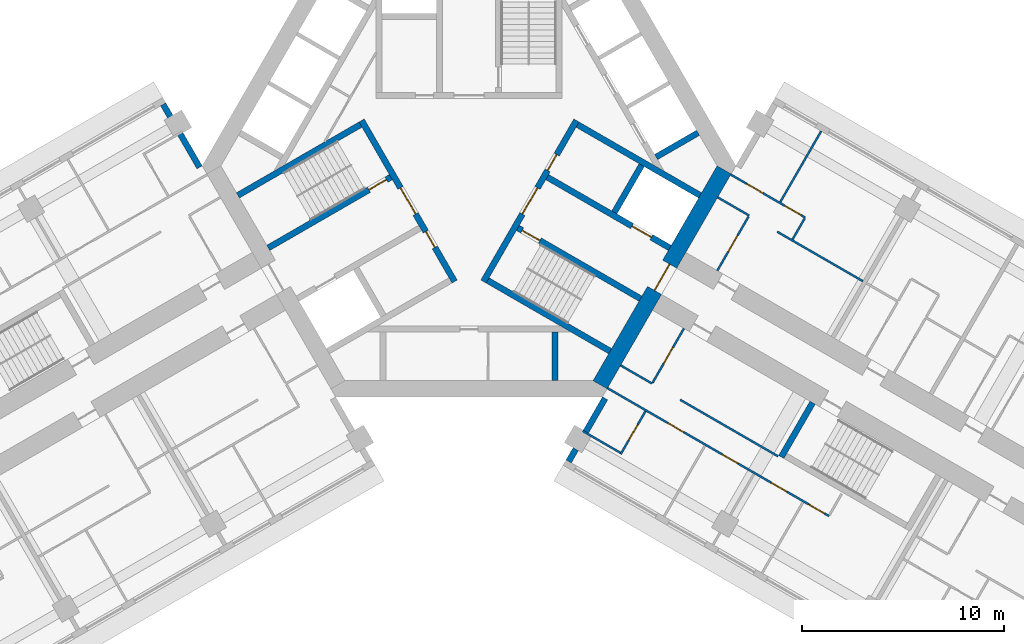
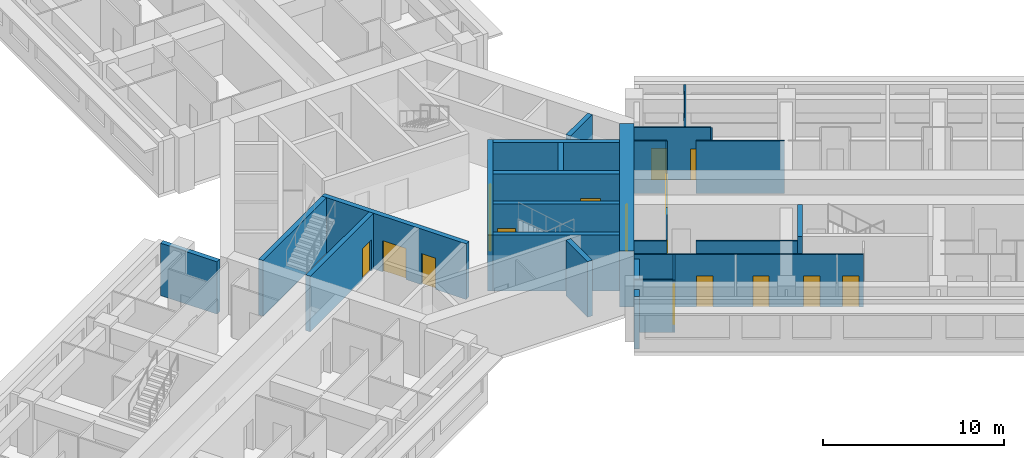
# One storey, part 7 of 14: 28 walls, 17 doors, 17 openings.
"""IFC4 building model written with IfcOpenShell, lengths in metres."""

import ifcopenshell
import ifcopenshell.guid

model = None  # the IFC model being written
_history = None  # IfcOwnerHistory: only IFC2X3 demands one
_inside = {}  # id of a spatial element -> (the spatial element, [elements in it])
_under = {}  # id of a project, library or spatial element -> (it, [spatial elements below it])
_declared = {}  # id of a project -> (the project, [libraries it declares])
_typed = {}  # id of a type object -> (the type object, [elements of that type])
_made_of = {}  # id of a material, layer set ... -> (it, [elements and type objects made of it])


def new_model(schema):
    """Start an empty IFC model of exactly this schema.

    Asked for "IFC4X3", IfcOpenShell would pick the latest addendum, in which some entities
    have other attributes; the version numbers below select the first issue.
    IFC2X3 requires an IfcOwnerHistory on every rooted entity: one is made here for all.
    """
    global model, _history
    if schema == "IFC4X3":
        model = ifcopenshell.file(schema_version=(4, 3, 0, 0))
    else:
        model = ifcopenshell.file(schema=schema)
    _inside.clear()
    _under.clear()
    _declared.clear()
    _typed.clear()
    _made_of.clear()
    _history = None
    if model.schema == "IFC2X3":
        org = make("IfcOrganization", Name="unknown")
        user = make(
            "IfcPersonAndOrganization",
            ThePerson=make("IfcPerson", FamilyName="unknown"),
            TheOrganization=org,
        )
        app = make(
            "IfcApplication",
            ApplicationDeveloper=org,
            Version="unknown",
            ApplicationFullName="unknown",
            ApplicationIdentifier="unknown",
        )
        _history = make(
            "IfcOwnerHistory",
            OwningUser=user,
            OwningApplication=app,
            ChangeAction="ADDED",
            CreationDate=0,
        )
    return model


def make(cls, **values):
    """One entity of the class cls with the attributes given. An attribute that is None is left unset."""
    return model.create_entity(
        cls, **{name: value for name, value in values.items() if value is not None}
    )


def rooted(cls, **values):
    """An entity with a GlobalId (a new one), such as an element, a storey or a relation."""
    return make(cls, GlobalId=ifcopenshell.guid.new(), OwnerHistory=_history, **values)


def si_unit(unit_type, name, prefix=None):
    """IfcSIUnit, for example si_unit("LENGTHUNIT", "METRE", prefix="MILLI")."""
    return make("IfcSIUnit", UnitType=unit_type, Prefix=prefix, Name=name)


def assignment(units):
    """IfcUnitAssignment: the units of a project."""
    return None if units is None else make("IfcUnitAssignment", Units=units)


def point(xyz):
    """IfcCartesianPoint."""
    return None if xyz is None else make("IfcCartesianPoint", Coordinates=xyz)


def direction(xyz):
    """IfcDirection."""
    return None if xyz is None else make("IfcDirection", DirectionRatios=xyz)


def frame(location, z_axis=None, x_axis=None):
    """IfcAxis2Placement3D, a coordinate frame: its origin and axes. An axis left out is left unset."""
    return make(
        "IfcAxis2Placement3D",
        Location=point(location),
        Axis=direction(z_axis),
        RefDirection=direction(x_axis),
    )


def frame_2d(location, x_axis=None):
    """IfcAxis2Placement2D, a coordinate frame in the plane: its origin and x axis."""
    return make(
        "IfcAxis2Placement2D", Location=point(location), RefDirection=direction(x_axis)
    )


def origin():
    """The frame at (0, 0, 0) with its axes left unset."""
    return frame((0.0, 0.0, 0.0))


def place(relative_to, where):
    """IfcLocalPlacement: puts the frame where relative to a parent placement (None: the world)."""
    return make(
        "IfcLocalPlacement", PlacementRelTo=relative_to, RelativePlacement=where
    )


def context(
    kind, dimensions, precision=None, world=None, true_north=None, identifier=None
):
    """IfcGeometricRepresentationContext, for example the 3D "Model" context."""
    return make(
        "IfcGeometricRepresentationContext",
        ContextIdentifier=identifier,
        ContextType=kind,
        CoordinateSpaceDimension=dimensions,
        Precision=precision,
        WorldCoordinateSystem=world,
        TrueNorth=true_north,
    )


def subcontext(parent, identifier, kind, view, scale=None):
    """IfcGeometricRepresentationSubContext, for example "Body" below "Model"."""
    return make(
        "IfcGeometricRepresentationSubContext",
        ContextIdentifier=identifier,
        ContextType=kind,
        ParentContext=parent,
        TargetScale=scale,
        TargetView=view,
    )


def project(units=None, contexts=None):
    """IfcProject with its units and contexts."""
    return rooted(
        "IfcProject",
        Name="project",
        RepresentationContexts=contexts,
        UnitsInContext=assignment(units),
    )


def spatial(cls, under=None, at=None, **own):
    """A site, building, storey or space (cls), placed at a placement, below another one or the project."""
    s = rooted(cls, ObjectPlacement=at, **own)
    if under is not None:
        _under.setdefault(under.id(), (under, []))[1].append(s)
    return s


def profile(cls, at=None, kind="AREA", **sizes):
    """A parametric profile (cls). Its sizes go by their IFC names, for example OverallWidth=200.0."""
    return make(cls, ProfileType=kind, Position=at, **sizes)


def rectangle(**sizes):
    """IfcRectangleProfileDef."""
    return profile("IfcRectangleProfileDef", **sizes)


def extrude(swept, where, along, depth):
    """IfcExtrudedAreaSolid: the profile swept, set in the frame where, extruded along a direction by depth."""
    return make(
        "IfcExtrudedAreaSolid",
        SweptArea=swept,
        Position=where,
        ExtrudedDirection=direction(along),
        Depth=depth,
    )


def shape(context_of_items, identifier, shape_type, items):
    """IfcShapeRepresentation: the items that make up one representation, for example the "Body"."""
    return make(
        "IfcShapeRepresentation",
        ContextOfItems=context_of_items,
        RepresentationIdentifier=identifier,
        RepresentationType=shape_type,
        Items=items,
    )


def material(Name=None, Category=None):
    """IfcMaterial."""
    return make("IfcMaterial", Name=Name, Category=Category)


def layer(
    of_material, thickness, ventilated=None, Name=None, Category=None, Priority=None
):
    """IfcMaterialLayer: one layer of a wall or slab, of a material (None: an air gap)."""
    return make(
        "IfcMaterialLayer",
        Material=of_material,
        LayerThickness=thickness,
        IsVentilated=ventilated,
        Name=Name,
        Category=Category,
        Priority=Priority,
    )


def layer_set(layers, Name=None):
    """IfcMaterialLayerSet."""
    return make("IfcMaterialLayerSet", MaterialLayers=layers, LayerSetName=Name)


def made_of(thing, what):
    """Note that an element or type object is made of a material, layer set ...; save() writes the relation."""
    if what is not None:
        _made_of.setdefault(what.id(), (what, []))[1].append(thing)
    return thing


def type_object(cls, material=None, **own):
    """A type object (cls), such as IfcWallType, which elements share."""
    return made_of(rooted(cls, **own), material)


def element(
    cls,
    number,
    at=None,
    inside=None,
    cuts=None,
    type_object=None,
    material=None,
    context=None,
    identifier="Body",
    shape_type=None,
    held_by="IfcProductDefinitionShape",
    body=None,
    shapes=None,
    **own,
):
    """One element of the class cls, such as IfcWall. Its Tag is "e" and its number.

    at: its placement. inside: the storey or other place that contains it. cuts: it is an
    opening in that element (IfcRelVoidsElement). A single representation is given by context,
    identifier, shape_type and body (its items); several are given by shapes. held_by: the class
    of the entity that holds the representations. save() writes the other relations.
    """
    e = rooted(cls, Tag="e%d" % number, ObjectPlacement=at, **own)
    if body is not None:
        shapes = [shape(context, identifier, shape_type, body)]
    if shapes is not None:
        e.Representation = make(held_by, Representations=shapes)
    if inside is not None:
        _inside.setdefault(inside.id(), (inside, []))[1].append(e)
    if cuts is not None:
        rooted(
            "IfcRelVoidsElement", RelatingBuildingElement=cuts, RelatedOpeningElement=e
        )
    if type_object is not None:
        _typed.setdefault(type_object.id(), (type_object, []))[1].append(e)
    return made_of(e, material)


def fill(opening, filler):
    """IfcRelFillsElement: the door or window that sits in an opening."""
    return rooted(
        "IfcRelFillsElement",
        RelatingOpeningElement=opening,
        RelatedBuildingElement=filler,
    )


def aggregate(whole, parts):
    """IfcRelAggregates: a whole, such as a stair, and the parts it consists of."""
    return rooted("IfcRelAggregates", RelatingObject=whole, RelatedObjects=parts)


def save(model, path):
    """Write the relations noted so far, then the file.

    IfcRelAggregates (storeys below a building ...), IfcRelContainedInSpatialStructure (elements
    in a storey), IfcRelDefinesByType, IfcRelAssociatesMaterial and IfcRelDeclares: one each for
    every whole, place, type object, material and project.
    """
    for whole, parts in _under.values():
        aggregate(whole, parts)
    for where, things in _inside.values():
        rooted(
            "IfcRelContainedInSpatialStructure",
            RelatedElements=things,
            RelatingStructure=where,
        )
    for kind, things in _typed.values():
        rooted("IfcRelDefinesByType", RelatedObjects=things, RelatingType=kind)
    for what, things in _made_of.values():
        rooted("IfcRelAssociatesMaterial", RelatedObjects=things, RelatingMaterial=what)
    for by, libraries in _declared.values():
        rooted("IfcRelDeclares", RelatingContext=by, RelatedDefinitions=libraries)
    model.write(path)


model = new_model("IFC4")

# Units and contexts
model_context = context("Model", 3, precision=1e-05, world=origin(), true_north=direction((0.0, 1.0)))
body_context = subcontext(model_context, "Body", "Model", "MODEL_VIEW")
ifc_project = project(units=[si_unit("LENGTHUNIT", "METRE"), si_unit("AREAUNIT", "SQUARE_METRE"), si_unit("VOLUMEUNIT", "CUBIC_METRE"), si_unit("PLANEANGLEUNIT", "RADIAN"), si_unit("MASSUNIT", "GRAM", prefix="KILO")], contexts=[model_context])

# Site, building, storey
site_placement = place(None, origin())
site = spatial("IfcSite", under=ifc_project, at=site_placement, CompositionType="ELEMENT")
building_placement = place(site_placement, origin())
building = spatial("IfcBuilding", under=site, at=building_placement, Name="Impinga Residences", CompositionType="ELEMENT")
storey_placement = place(building_placement, frame((0.0, 0.0, 117.25)))
storey = spatial("IfcBuildingStorey", under=building, at=storey_placement, Name="L28", CompositionType="ELEMENT", Elevation=117.25)

# Walls
ifc_material_1 = material(Name="Terracotta rainscreen on blockwork", Category="masonry")
ifc_layer_1 = layer(ifc_material_1, 0.300048828125)
ifc_layer_set_1 = layer_set([ifc_layer_1], Name="EW1 external wall, terracotta rainscreen on blockwork 300")
wall_type_1 = type_object("IfcWallType", Name="EW1 external wall, terracotta rainscreen on blockwork 300", PredefinedType="SOLIDWALL", material=ifc_layer_set_1)
wall_1_placement = place(storey_placement, frame((-15.1298828125, 3.042724609375, 0.0), z_axis=(0.0, 0.0, 1.0), x_axis=(0.500012057535, -0.866018442252, 0.0)))
element("IfcWall", 1, at=wall_1_placement, inside=storey, type_object=wall_type_1, Name="External wall EW1 L28", PredefinedType="SOLIDWALL", context=body_context, shape_type="SweptSolid", body=[
    extrude(rectangle(XDim=3.60009765625, YDim=0.300048828125, at=frame_2d((1.800048828125, 0.0))), origin(), (0.0, 0.0, 1.0), 3.530029296875),
])
wall_2_placement = place(storey_placement, frame((4.929931640625, -14.624267578125, 0.0), z_axis=(0.0, 0.0, 1.0), x_axis=(0.499853302173, 0.866110083249, 0.0)))
element("IfcWall", 2, at=wall_2_placement, inside=storey, type_object=wall_type_1, Name="External wall EW1 L28", PredefinedType="SOLIDWALL", context=body_context, shape_type="SweptSolid", body=[
    extrude(rectangle(XDim=0.699951171875, YDim=0.300048828125, at=frame_2d((0.35009765625, 0.0))), origin(), (0.0, 0.0, 1.0), 3.530029296875),
])
wall_3_placement = place(storey_placement, frame((5.77978515625, -13.152099609375, 0.0), z_axis=(0.0, 0.0, 1.0), x_axis=(0.500063520245, 0.865988727248, 0.0)))
element("IfcWall", 3, at=wall_3_placement, inside=storey, type_object=wall_type_1, Name="External wall EW1 L28", PredefinedType="SOLIDWALL", context=body_context, shape_type="SweptSolid", body=[
    extrude(rectangle(XDim=1.900146484375, YDim=0.300048828125, at=frame_2d((0.9501953125, 0.0))), origin(), (0.0, 0.0, 1.0), 3.530029296875),
])
ifc_material_2 = material(Name="Gypsum board on steel studs", Category="steel")
ifc_layer_2 = layer(ifc_material_2, 0.10009765625)
ifc_layer_set_2 = layer_set([ifc_layer_2], Name="Gypsum board on steel studs")
wall_type_2 = type_object("IfcWallType", Name="IP1 partition 100", PredefinedType="PARTITIONING", material=ifc_layer_set_2)
wall_4_placement = place(storey_placement, frame((12.300048828125, -1.558837890625, 0.0), z_axis=(0.0, 0.0, 1.0), x_axis=(0.866047807691, -0.499961193289, 0.0)))
element("IfcWall", 4, at=wall_4_placement, inside=storey, type_object=wall_type_2, Name="Partition L28-EA1:DIV0", PredefinedType="PARTITIONING", context=body_context, shape_type="SweptSolid", body=[
    extrude(rectangle(XDim=1.800048828125, YDim=0.10009765625, at=frame_2d((0.89990234375, 0.0))), origin(), (0.0, 0.0, 1.0), 3.530029296875),
])
wall_5_placement = place(storey_placement, frame((15.244384765625, -3.2587890625, 0.0), z_axis=(0.0, 0.0, 1.0), x_axis=(0.866036242063, -0.49998122708, 0.0)))
element("IfcWall", 5, at=wall_5_placement, inside=storey, type_object=wall_type_2, Name="Partition L28-EA1:DIV1", PredefinedType="PARTITIONING", context=body_context, shape_type="SweptSolid", body=[
    extrude(rectangle(XDim=4.900146484375, YDim=0.10009765625, at=frame_2d((2.4501953125, 0.0))), origin(), (0.0, 0.0, 1.0), 3.530029296875),
])

# Wall, openings, doors
wall_6_placement = place(storey_placement, frame((12.949951171875, -0.43310546875, 0.0), z_axis=(0.0, 0.0, 1.0), x_axis=(0.866028703517, -0.499994284652, 0.0)))
wall_6 = element("IfcWall", 6, at=wall_6_placement, inside=storey, type_object=wall_type_2, Name="Partition L28-EA1:STRIP", PredefinedType="PARTITIONING", context=body_context, shape_type="SweptSolid", body=[
    extrude(rectangle(XDim=4.25, YDim=0.10009765625, at=frame_2d((2.125, 0.0))), origin(), (0.0, 0.0, 1.0), 3.530029296875),
])
opening_1_placement = place(wall_6_placement, frame((0.925048828125, 0.0, 0.0)))
opening_1 = element("IfcOpeningElement", 7, at=opening_1_placement, cuts=wall_6, Name="Opening D2", PredefinedType="OPENING", context=body_context, shape_type="SweptSolid", body=[
    extrude(rectangle(XDim=0.89990234375, YDim=2.10009765625, at=frame_2d((0.449951171875, 1.050048828125))), frame((0.0, 0.06005859375, 0.0), z_axis=(0.0, -1.0, 0.0), x_axis=(1.0, 0.0, 0.0)), (0.0, 0.0, 1.0), 0.1201171875),
])
opening_2_placement = place(wall_6_placement, frame((3.10009765625, 0.0, 0.0)))
opening_2 = element("IfcOpeningElement", 8, at=opening_2_placement, cuts=wall_6, Name="Opening D2", PredefinedType="OPENING", context=body_context, shape_type="SweptSolid", body=[
    extrude(rectangle(XDim=0.89990234375, YDim=2.10009765625, at=frame_2d((0.449951171875, 1.050048828125))), frame((0.0, 0.06005859375, 0.0), z_axis=(0.0, -1.0, 0.0), x_axis=(1.0, 0.0, 0.0)), (0.0, 0.0, 1.0), 0.1201171875),
])
ifc_material_3 = material(Name="Timber door set", Category="wood")
door_type_1 = type_object("IfcDoorType", Name="D2 internal door 900x2100", OperationType="SINGLE_SWING_LEFT", PredefinedType="DOOR", material=ifc_material_3)
door_1_placement = place(opening_1_placement, origin())
door_1 = element("IfcDoor", 9, at=door_1_placement, inside=storey, type_object=door_type_1, Name="Apartment L28-EA1 room door", OperationType="SINGLE_SWING_LEFT", OverallHeight=2.10009765625, OverallWidth=0.89990234375, PredefinedType="DOOR", context=body_context, shape_type="SweptSolid", body=[
    extrude(rectangle(XDim=0.89990234375, YDim=2.10009765625, at=frame_2d((0.449951171875, 1.050048828125))), frame((0.0, 0.02490234375, 0.0), z_axis=(0.0, -1.0, 0.0), x_axis=(1.0, 0.0, 0.0)), (0.0, 0.0, 1.0), 0.050048828125),
])
fill(opening_1, door_1)
door_2_placement = place(opening_2_placement, origin())
door_2 = element("IfcDoor", 10, at=door_2_placement, inside=storey, type_object=door_type_1, Name="Apartment L28-EA1 room door", OperationType="SINGLE_SWING_RIGHT", OverallHeight=2.10009765625, OverallWidth=0.89990234375, PredefinedType="DOOR", context=body_context, shape_type="SweptSolid", body=[
    extrude(rectangle(XDim=0.89990234375, YDim=2.10009765625, at=frame_2d((0.449951171875, 1.050048828125))), frame((0.0, 0.02490234375, 0.0), z_axis=(0.0, -1.0, 0.0), x_axis=(1.0, 0.0, 0.0)), (0.0, 0.0, 1.0), 0.050048828125),
])
fill(opening_2, door_2)

# Wall
wall_7_placement = place(storey_placement, frame((16.005615234375, -3.640625, 0.0), z_axis=(0.0, 0.0, 1.0), x_axis=(0.500033551112, 0.866006032174, 0.0)))
element("IfcWall", 11, at=wall_7_placement, inside=storey, type_object=wall_type_2, Name="Partition L28-EA1:SE1", PredefinedType="PARTITIONING", context=body_context, shape_type="SweptSolid", body=[
    extrude(rectangle(XDim=1.2001953125, YDim=0.10009765625, at=frame_2d((0.60009765625, 0.0))), origin(), (0.0, 0.0, 1.0), 3.530029296875),
])

# Wall, opening, door
wall_8_placement = place(storey_placement, frame((12.283935546875, -5.186767578125, 0.0), z_axis=(0.0, 0.0, 1.0), x_axis=(0.499967891604, 0.866043940782, 0.0)))
wall_8 = element("IfcWall", 12, at=wall_8_placement, inside=storey, type_object=wall_type_2, Name="Partition L28-EA1:IB1", PredefinedType="PARTITIONING", context=body_context, shape_type="SweptSolid", body=[
    extrude(rectangle(XDim=3.099853515625, YDim=0.10009765625, at=frame_2d((1.5498046875, 0.0))), origin(), (0.0, 0.0, 1.0), 3.530029296875),
])
opening_3_placement = place(wall_8_placement, frame((1.10009765625, 0.0, 0.0)))
opening_3 = element("IfcOpeningElement", 13, at=opening_3_placement, cuts=wall_8, Name="Opening D2", PredefinedType="OPENING", context=body_context, shape_type="SweptSolid", body=[
    extrude(rectangle(XDim=0.89990234375, YDim=2.10009765625, at=frame_2d((0.449951171875, 1.050048828125))), frame((0.0, 0.06005859375, 0.0), z_axis=(0.0, -1.0, 0.0), x_axis=(1.0, 0.0, 0.0)), (0.0, 0.0, 1.0), 0.1201171875),
])
door_3_placement = place(opening_3_placement, origin())
door_3 = element("IfcDoor", 14, at=door_3_placement, inside=storey, type_object=door_type_1, Name="Apartment L28-EA1 bathroom door", OperationType="SINGLE_SWING_LEFT", OverallHeight=2.10009765625, OverallWidth=0.89990234375, PredefinedType="DOOR", context=body_context, shape_type="SweptSolid", body=[
    extrude(rectangle(XDim=0.89990234375, YDim=2.10009765625, at=frame_2d((0.449951171875, 1.050048828125))), frame((0.0, 0.02490234375, 0.0), z_axis=(0.0, -1.0, 0.0), x_axis=(1.0, 0.0, 0.0)), (0.0, 0.0, 1.0), 0.050048828125),
])
fill(opening_3, door_3)

# Walls
wall_9_placement = place(storey_placement, frame((15.39990234375, -1.789794921875, 0.0), z_axis=(0.0, 0.0, 1.0), x_axis=(0.499964223975, 0.866046058097, 0.0)))
element("IfcWall", 15, at=wall_9_placement, inside=storey, type_object=wall_type_2, Name="Partition L28-EA1:OB1", PredefinedType="PARTITIONING", context=body_context, shape_type="SweptSolid", body=[
    extrude(rectangle(XDim=4.050048828125, YDim=0.10009765625, at=frame_2d((2.02490234375, 0.0))), origin(), (0.0, 0.0, 1.0), 3.530029296875),
])
wall_10_placement = place(storey_placement, frame((7.5, -9.872802734375, 0.0), z_axis=(0.0, 0.0, 1.0), x_axis=(0.866047807691, -0.499961193289, 0.0)))
element("IfcWall", 16, at=wall_10_placement, inside=storey, type_object=wall_type_2, Name="Partition L28-EF1:DIV0", PredefinedType="PARTITIONING", context=body_context, shape_type="SweptSolid", body=[
    extrude(rectangle(XDim=1.800048828125, YDim=0.10009765625, at=frame_2d((0.89990234375, 0.0))), origin(), (0.0, 0.0, 1.0), 3.530029296875),
])
wall_11_placement = place(storey_placement, frame((10.444580078125, -11.57275390625, 0.0), z_axis=(0.0, 0.0, 1.0), x_axis=(0.866015695474, -0.500016814911, 0.0)))
element("IfcWall", 17, at=wall_11_placement, inside=storey, type_object=wall_type_2, Name="Partition L28-EF1:DIV1", PredefinedType="PARTITIONING", context=body_context, shape_type="SweptSolid", body=[
    extrude(rectangle(XDim=5.599853515625, YDim=0.10009765625, at=frame_2d((2.7998046875, 0.0))), origin(), (0.0, 0.0, 1.0), 3.530029296875),
])

# Wall, openings, doors
wall_12_placement = place(storey_placement, frame((6.85009765625, -10.99853515625, 0.0), z_axis=(0.0, 0.0, 1.0), x_axis=(0.866024244478, -0.500002007972, 0.0)))
wall_12 = element("IfcWall", 18, at=wall_12_placement, inside=storey, type_object=wall_type_2, Name="Partition L28-EF1:STRIP", PredefinedType="PARTITIONING", context=body_context, shape_type="SweptSolid", body=[
    extrude(rectangle(XDim=12.64990234375, YDim=0.10009765625, at=frame_2d((6.324951171875, 0.0))), origin(), (0.0, 0.0, 1.0), 3.530029296875),
])
opening_4_placement = place(wall_12_placement, frame((3.449951171875, 0.0, 0.0)))
opening_4 = element("IfcOpeningElement", 19, at=opening_4_placement, cuts=wall_12, Name="Opening D2", PredefinedType="OPENING", context=body_context, shape_type="SweptSolid", body=[
    extrude(rectangle(XDim=0.89990234375, YDim=2.10009765625, at=frame_2d((0.449951171875, 1.050048828125))), frame((0.0, 0.06005859375, 0.0), z_axis=(0.0, -1.0, 0.0), x_axis=(1.0, 0.0, 0.0)), (0.0, 0.0, 1.0), 0.1201171875),
])
opening_5_placement = place(wall_12_placement, frame((6.550048828125, 0.0, 0.0)))
opening_5 = element("IfcOpeningElement", 20, at=opening_5_placement, cuts=wall_12, Name="Opening D2", PredefinedType="OPENING", context=body_context, shape_type="SweptSolid", body=[
    extrude(rectangle(XDim=0.89990234375, YDim=2.10009765625, at=frame_2d((0.449951171875, 1.050048828125))), frame((0.0, 0.06005859375, 0.0), z_axis=(0.0, -1.0, 0.0), x_axis=(1.0, 0.0, 0.0)), (0.0, 0.0, 1.0), 0.1201171875),
])
opening_6_placement = place(wall_12_placement, frame((9.35009765625, 0.0, 0.0)))
opening_6 = element("IfcOpeningElement", 21, at=opening_6_placement, cuts=wall_12, Name="Opening D2", PredefinedType="OPENING", context=body_context, shape_type="SweptSolid", body=[
    extrude(rectangle(XDim=0.89990234375, YDim=2.10009765625, at=frame_2d((0.449951171875, 1.050048828125))), frame((0.0, 0.06005859375, 0.0), z_axis=(0.0, -1.0, 0.0), x_axis=(1.0, 0.0, 0.0)), (0.0, 0.0, 1.0), 0.1201171875),
])
opening_7_placement = place(wall_12_placement, frame((11.5, 0.0, 0.0)))
opening_7 = element("IfcOpeningElement", 22, at=opening_7_placement, cuts=wall_12, Name="Opening D2", PredefinedType="OPENING", context=body_context, shape_type="SweptSolid", body=[
    extrude(rectangle(XDim=0.89990234375, YDim=2.10009765625, at=frame_2d((0.449951171875, 1.050048828125))), frame((0.0, 0.06005859375, 0.0), z_axis=(0.0, -1.0, 0.0), x_axis=(1.0, 0.0, 0.0)), (0.0, 0.0, 1.0), 0.1201171875),
])
door_4_placement = place(opening_4_placement, origin())
door_4 = element("IfcDoor", 23, at=door_4_placement, inside=storey, type_object=door_type_1, Name="Apartment L28-EF1 room door", OperationType="SINGLE_SWING_LEFT", OverallHeight=2.10009765625, OverallWidth=0.89990234375, PredefinedType="DOOR", context=body_context, shape_type="SweptSolid", body=[
    extrude(rectangle(XDim=0.89990234375, YDim=2.10009765625, at=frame_2d((0.449951171875, 1.050048828125))), frame((0.0, 0.02490234375, 0.0), z_axis=(0.0, -1.0, 0.0), x_axis=(1.0, 0.0, 0.0)), (0.0, 0.0, 1.0), 0.050048828125),
])
fill(opening_4, door_4)
door_5_placement = place(opening_5_placement, origin())
door_5 = element("IfcDoor", 24, at=door_5_placement, inside=storey, type_object=door_type_1, Name="Apartment L28-EF1 room door", OperationType="SINGLE_SWING_RIGHT", OverallHeight=2.10009765625, OverallWidth=0.89990234375, PredefinedType="DOOR", context=body_context, shape_type="SweptSolid", body=[
    extrude(rectangle(XDim=0.89990234375, YDim=2.10009765625, at=frame_2d((0.449951171875, 1.050048828125))), frame((0.0, 0.02490234375, 0.0), z_axis=(0.0, -1.0, 0.0), x_axis=(1.0, 0.0, 0.0)), (0.0, 0.0, 1.0), 0.050048828125),
])
fill(opening_5, door_5)
door_6_placement = place(opening_6_placement, origin())
door_6 = element("IfcDoor", 25, at=door_6_placement, inside=storey, type_object=door_type_1, Name="Apartment L28-EF1 room door", OperationType="SINGLE_SWING_RIGHT", OverallHeight=2.10009765625, OverallWidth=0.89990234375, PredefinedType="DOOR", context=body_context, shape_type="SweptSolid", body=[
    extrude(rectangle(XDim=0.89990234375, YDim=2.10009765625, at=frame_2d((0.449951171875, 1.050048828125))), frame((0.0, 0.02490234375, 0.0), z_axis=(0.0, -1.0, 0.0), x_axis=(1.0, 0.0, 0.0)), (0.0, 0.0, 1.0), 0.050048828125),
])
fill(opening_6, door_6)
door_7_placement = place(opening_7_placement, origin())
door_7 = element("IfcDoor", 26, at=door_7_placement, inside=storey, type_object=door_type_1, Name="Apartment L28-EF1 room door", OperationType="SINGLE_SWING_RIGHT", OverallHeight=2.10009765625, OverallWidth=0.89990234375, PredefinedType="DOOR", context=body_context, shape_type="SweptSolid", body=[
    extrude(rectangle(XDim=0.89990234375, YDim=2.10009765625, at=frame_2d((0.449951171875, 1.050048828125))), frame((0.0, 0.02490234375, 0.0), z_axis=(0.0, -1.0, 0.0), x_axis=(1.0, 0.0, 0.0)), (0.0, 0.0, 1.0), 0.050048828125),
])
fill(opening_7, door_7)

# Wall, opening, door
wall_13_placement = place(storey_placement, frame((10.6337890625, -8.044677734375, 0.0), z_axis=(0.0, 0.0, 1.0), x_axis=(-0.49999285859, -0.86602952684, 0.0)))
wall_13 = element("IfcWall", 27, at=wall_13_placement, inside=storey, type_object=wall_type_2, Name="Partition L28-EF1:IB1", PredefinedType="PARTITIONING", context=body_context, shape_type="SweptSolid", body=[
    extrude(rectangle(XDim=3.10009765625, YDim=0.10009765625, at=frame_2d((1.550048828125, 0.0))), origin(), (0.0, 0.0, 1.0), 3.530029296875),
])
opening_8_placement = place(wall_13_placement, frame((1.10009765625, 0.0, 0.0)))
opening_8 = element("IfcOpeningElement", 28, at=opening_8_placement, cuts=wall_13, Name="Opening D2", PredefinedType="OPENING", context=body_context, shape_type="SweptSolid", body=[
    extrude(rectangle(XDim=0.89990234375, YDim=2.10009765625, at=frame_2d((0.449951171875, 1.050048828125))), frame((0.0, 0.06005859375, 0.0), z_axis=(0.0, -1.0, 0.0), x_axis=(1.0, 0.0, 0.0)), (0.0, 0.0, 1.0), 0.1201171875),
])
door_8_placement = place(opening_8_placement, origin())
door_8 = element("IfcDoor", 29, at=door_8_placement, inside=storey, type_object=door_type_1, Name="Apartment L28-EF1 bathroom door", OperationType="SINGLE_SWING_LEFT", OverallHeight=2.10009765625, OverallWidth=0.89990234375, PredefinedType="DOOR", context=body_context, shape_type="SweptSolid", body=[
    extrude(rectangle(XDim=0.89990234375, YDim=2.10009765625, at=frame_2d((0.449951171875, 1.050048828125))), frame((0.0, 0.02490234375, 0.0), z_axis=(0.0, -1.0, 0.0), x_axis=(1.0, 0.0, 0.0)), (0.0, 0.0, 1.0), 0.050048828125),
])
fill(opening_8, door_8)

wall_14_placement = place(storey_placement, frame((8.730224609375, -12.141845703125, 0.0), z_axis=(0.0, 0.0, 1.0), x_axis=(-0.499943856944, -0.866057815567, 0.0)))
wall_14 = element("IfcWall", 30, at=wall_14_placement, inside=storey, type_object=wall_type_2, Name="Partition L28-EF1:EN1", PredefinedType="PARTITIONING", context=body_context, shape_type="SweptSolid", body=[
    extrude(rectangle(XDim=2.449951171875, YDim=0.10009765625, at=frame_2d((1.22509765625, 0.0))), origin(), (0.0, 0.0, 1.0), 3.530029296875),
])
opening_9_placement = place(wall_14_placement, frame((0.75, 0.0, 0.0)))
opening_9 = element("IfcOpeningElement", 31, at=opening_9_placement, cuts=wall_14, Name="Opening D2", PredefinedType="OPENING", context=body_context, shape_type="SweptSolid", body=[
    extrude(rectangle(XDim=0.89990234375, YDim=2.10009765625, at=frame_2d((0.449951171875, 1.050048828125))), frame((0.0, 0.06005859375, 0.0), z_axis=(0.0, -1.0, 0.0), x_axis=(1.0, 0.0, 0.0)), (0.0, 0.0, 1.0), 0.1201171875),
])
door_9_placement = place(opening_9_placement, origin())
door_9 = element("IfcDoor", 32, at=door_9_placement, inside=storey, type_object=door_type_1, Name="Apartment L28-EF1 en-suite door", OperationType="SINGLE_SWING_LEFT", OverallHeight=2.10009765625, OverallWidth=0.89990234375, PredefinedType="DOOR", context=body_context, shape_type="SweptSolid", body=[
    extrude(rectangle(XDim=0.89990234375, YDim=2.10009765625, at=frame_2d((0.449951171875, 1.050048828125))), frame((0.0, 0.02490234375, 0.0), z_axis=(0.0, -1.0, 0.0), x_axis=(1.0, 0.0, 0.0)), (0.0, 0.0, 1.0), 0.050048828125),
])
fill(opening_9, door_9)

# Walls
wall_15_placement = place(storey_placement, frame((5.625, -13.120361328125, 0.0), z_axis=(0.0, 0.0, 1.0), x_axis=(0.866047553582, -0.499961633463, 0.0)))
element("IfcWall", 33, at=wall_15_placement, inside=storey, type_object=wall_type_2, Name="Partition L28-EF1:EN2", PredefinedType="PARTITIONING", context=body_context, shape_type="SweptSolid", body=[
    extrude(rectangle(XDim=2.150146484375, YDim=0.10009765625, at=frame_2d((1.0751953125, 0.0))), origin(), (0.0, 0.0, 1.0), 3.530029296875),
])
ifc_material_4 = material(Name="Concrete C60/75", Category="concrete")
ifc_layer_3 = layer(ifc_material_4, 0.300048828125)
ifc_layer_set_3 = layer_set([ifc_layer_3], Name="Concrete C60/75")
wall_type_3 = type_object("IfcWallType", Name="SE1 wing stair enclosure wall 300", PredefinedType="SOLIDWALL", material=ifc_layer_set_3)
wall_16_placement = place(storey_placement, frame((16.9990234375, -11.7197265625, 0.0), z_axis=(0.0, 0.0, 1.0), x_axis=(-0.499967891604, -0.866043940782, 0.0)))
element("IfcWall", 34, at=wall_16_placement, inside=storey, type_object=wall_type_3, Name="Stair enclosure wall SE1 E END0 L28", PredefinedType="SOLIDWALL", context=body_context, shape_type="SweptSolid", body=[
    extrude(rectangle(XDim=3.099853515625, YDim=0.300048828125, at=frame_2d((1.5498046875, 0.0))), origin(), (0.0, 0.0, 1.0), 3.75),
])

# Wall, opening, door
ifc_layer_4 = layer(ifc_material_4, 0.800048828125)
ifc_layer_set_4 = layer_set([ifc_layer_4], Name="Concrete C60/75")
wall_type_4 = type_object("IfcWallType", Name="SW2 core wall 800", PredefinedType="SHEAR", material=ifc_layer_set_4)
wall_17_placement = place(storey_placement, frame((12.62255859375, -0.199951171875, 0.0), z_axis=(0.0, 0.0, 1.0), x_axis=(-0.499986991068, -0.866032914365, 0.0)))
wall_17 = element("IfcWall", 35, at=wall_17_placement, inside=storey, type_object=wall_type_4, Name="Core wall SW2 E:FACE L28", PredefinedType="SHEAR", context=body_context, shape_type="SweptSolid", body=[
    extrude(rectangle(XDim=12.276123046875, YDim=0.800048828125, at=frame_2d((6.13818359375, 0.0))), origin(), (0.0, 0.0, 1.0), 3.75),
])
opening_10_placement = place(wall_17_placement, frame((5.38818359375, 0.0, 0.0)))
opening_10 = element("IfcOpeningElement", 36, at=opening_10_placement, cuts=wall_17, Name="Opening D4", PredefinedType="OPENING", context=body_context, shape_type="SweptSolid", body=[
    extrude(rectangle(XDim=1.5, YDim=2.10009765625, at=frame_2d((0.75, 1.050048828125))), frame((0.0, 0.409912109375, 0.0), z_axis=(0.0, -1.0, 0.0), x_axis=(1.0, 0.0, 0.0)), (0.0, 0.0, 1.0), 0.820068359375),
])
door_type_2 = type_object("IfcDoorType", Name="D4 lobby door pair 1500x2100", OperationType="DOUBLE_DOOR_DOUBLE_SWING", PredefinedType="DOOR", material=ifc_material_3)
door_10_placement = place(opening_10_placement, origin())
door_10 = element("IfcDoor", 37, at=door_10_placement, inside=storey, type_object=door_type_2, Name="Lobby door E", OperationType="DOUBLE_DOOR_DOUBLE_SWING", OverallHeight=2.10009765625, OverallWidth=1.5, PredefinedType="DOOR", context=body_context, shape_type="SweptSolid", body=[
    extrude(rectangle(XDim=1.5, YDim=2.10009765625, at=frame_2d((0.75, 1.050048828125))), frame((0.0, 0.02490234375, 0.0), z_axis=(0.0, -1.0, 0.0), x_axis=(1.0, 0.0, 0.0)), (0.0, 0.0, 1.0), 0.050048828125),
])
fill(opening_10, door_10)

# Wall, openings, doors
ifc_material_5 = material(Name="Concrete C70/85", Category="concrete")
ifc_layer_5 = layer(ifc_material_5, 0.300048828125)
ifc_layer_set_5 = layer_set([ifc_layer_5], Name="Concrete C70/85")
wall_type_5 = type_object("IfcWallType", Name="SW5 core inner wall, stairs, shafts and lobbies 300", PredefinedType="SHEAR", material=ifc_layer_set_5)
wall_18_placement = place(storey_placement, frame((-0.7138671875, -5.7236328125, 0.0), z_axis=(0.0, 0.0, 1.0), x_axis=(-0.499995050369, 0.866028261437, 0.0)))
wall_18 = element("IfcWall", 38, at=wall_18_placement, inside=storey, type_object=wall_type_5, Name="Core wall SW5 W:ZONE L28", PredefinedType="SHEAR", context=body_context, shape_type="SweptSolid", body=[
    extrude(rectangle(XDim=9.19970703125, YDim=0.300048828125, at=frame_2d((4.599853515625, 0.0))), origin(), (0.0, 0.0, 1.0), 3.75),
])
opening_11_placement = place(wall_18_placement, frame((3.85009765625, 0.0, 0.0)))
opening_11 = element("IfcOpeningElement", 39, at=opening_11_placement, cuts=wall_18, Name="Opening D4", PredefinedType="OPENING", context=body_context, shape_type="SweptSolid", body=[
    extrude(rectangle(XDim=1.5, YDim=2.10009765625, at=frame_2d((0.75, 1.050048828125))), frame((0.0, 0.159912109375, 0.0), z_axis=(0.0, -1.0, 0.0), x_axis=(1.0, 0.0, 0.0)), (0.0, 0.0, 1.0), 0.320068359375),
])
opening_12_placement = place(wall_18_placement, frame((1.949951171875, 0.0, 0.0)))
opening_12 = element("IfcOpeningElement", 40, at=opening_12_placement, cuts=wall_18, Name="Opening D6", PredefinedType="OPENING", context=body_context, shape_type="SweptSolid", body=[
    extrude(rectangle(XDim=0.89990234375, YDim=2.10009765625, at=frame_2d((0.449951171875, 1.050048828125))), frame((0.0, 0.159912109375, 0.0), z_axis=(0.0, -1.0, 0.0), x_axis=(1.0, 0.0, 0.0)), (0.0, 0.0, 1.0), 0.320068359375),
])
door_11_placement = place(opening_11_placement, origin())
door_11 = element("IfcDoor", 41, at=door_11_placement, inside=storey, type_object=door_type_2, Name="Firefighting lobby door W", OperationType="DOUBLE_DOOR_DOUBLE_SWING", OverallHeight=2.10009765625, OverallWidth=1.5, PredefinedType="DOOR", context=body_context, shape_type="SweptSolid", body=[
    extrude(rectangle(XDim=1.5, YDim=2.10009765625, at=frame_2d((0.75, 1.050048828125))), frame((0.0, 0.02490234375, 0.0), z_axis=(0.0, -1.0, 0.0), x_axis=(1.0, 0.0, 0.0)), (0.0, 0.0, 1.0), 0.050048828125),
])
fill(opening_11, door_11)
door_type_3 = type_object("IfcDoorType", Name="D6 riser and store door 900x2100", OperationType="SINGLE_SWING_LEFT", PredefinedType="DOOR", material=ifc_material_3)
door_12_placement = place(opening_12_placement, origin())
door_12 = element("IfcDoor", 42, at=door_12_placement, inside=storey, type_object=door_type_3, Name="Riser door W", OperationType="SINGLE_SWING_LEFT", OverallHeight=2.10009765625, OverallWidth=0.89990234375, PredefinedType="DOOR", context=body_context, shape_type="SweptSolid", body=[
    extrude(rectangle(XDim=0.89990234375, YDim=2.10009765625, at=frame_2d((0.449951171875, 1.050048828125))), frame((0.0, 0.02490234375, 0.0), z_axis=(0.0, -1.0, 0.0), x_axis=(1.0, 0.0, 0.0)), (0.0, 0.0, 1.0), 0.050048828125),
])
fill(opening_12, door_12)

# Wall, opening, door
wall_19_placement = place(storey_placement, frame((-3.86865234375, -0.559326171875, 0.0), z_axis=(0.0, 0.0, 1.0), x_axis=(-0.866026480128, -0.499998135713, 0.0)))
wall_19 = element("IfcWall", 43, at=wall_19_placement, inside=storey, type_object=wall_type_5, Name="Core wall SW5 W:ST-IN L28", PredefinedType="SHEAR", context=body_context, shape_type="SweptSolid", body=[
    extrude(rectangle(XDim=7.00146484375, YDim=0.300048828125, at=frame_2d((3.500732421875, 0.0))), origin(), (0.0, 0.0, 1.0), 3.75),
])
opening_13_placement = place(wall_19_placement, frame((0.25, 0.0, 0.0)))
opening_13 = element("IfcOpeningElement", 44, at=opening_13_placement, cuts=wall_19, Name="Opening D5", PredefinedType="OPENING", context=body_context, shape_type="SweptSolid", body=[
    extrude(rectangle(XDim=1.0, YDim=2.10009765625, at=frame_2d((0.5, 1.050048828125))), frame((0.0, 0.159912109375, 0.0), z_axis=(0.0, -1.0, 0.0), x_axis=(1.0, 0.0, 0.0)), (0.0, 0.0, 1.0), 0.320068359375),
])
door_type_4 = type_object("IfcDoorType", Name="D5 stair door 1000x2100", OperationType="SINGLE_SWING_LEFT", PredefinedType="DOOR", material=ifc_material_3)
door_13_placement = place(opening_13_placement, origin())
door_13 = element("IfcDoor", 45, at=door_13_placement, inside=storey, type_object=door_type_4, Name="Stair door W", OperationType="SINGLE_SWING_LEFT", OverallHeight=2.10009765625, OverallWidth=1.0, PredefinedType="DOOR", context=body_context, shape_type="SweptSolid", body=[
    extrude(rectangle(XDim=1.0, YDim=2.10009765625, at=frame_2d((0.5, 1.050048828125))), frame((0.0, 0.02490234375, 0.0), z_axis=(0.0, -1.0, 0.0), x_axis=(1.0, 0.0, 0.0)), (0.0, 0.0, 1.0), 0.050048828125),
])
fill(opening_13, door_13)

# Wall
wall_20_placement = place(storey_placement, frame((-5.36865234375, 2.038818359375, 0.0), z_axis=(0.0, 0.0, 1.0), x_axis=(-0.866026480128, -0.499998135713, 0.0)))
element("IfcWall", 46, at=wall_20_placement, inside=storey, type_object=wall_type_5, Name="Core wall SW5 W:ST-OUT L28", PredefinedType="SHEAR", context=body_context, shape_type="SweptSolid", body=[
    extrude(rectangle(XDim=7.00146484375, YDim=0.300048828125, at=frame_2d((3.500732421875, 0.0))), origin(), (0.0, 0.0, 1.0), 3.75),
])

# Wall, openings, doors
wall_21_placement = place(storey_placement, frame((5.313720703125, 2.24365234375, 0.0), z_axis=(0.0, 0.0, 1.0), x_axis=(-0.499995050369, -0.866028261437, 0.0)))
wall_21 = element("IfcWall", 47, at=wall_21_placement, inside=storey, type_object=wall_type_5, Name="Core wall SW5 E:ZONE L28", PredefinedType="SHEAR", context=body_context, shape_type="SweptSolid", body=[
    extrude(rectangle(XDim=9.19970703125, YDim=0.300048828125, at=frame_2d((4.599853515625, 0.0))), origin(), (0.0, 0.0, 1.0), 3.75),
])
opening_14_placement = place(wall_21_placement, frame((3.85009765625, 0.0, 0.0)))
opening_14 = element("IfcOpeningElement", 48, at=opening_14_placement, cuts=wall_21, Name="Opening D4", PredefinedType="OPENING", context=body_context, shape_type="SweptSolid", body=[
    extrude(rectangle(XDim=1.5, YDim=2.10009765625, at=frame_2d((0.75, 1.050048828125))), frame((0.0, 0.159912109375, 0.0), z_axis=(0.0, -1.0, 0.0), x_axis=(1.0, 0.0, 0.0)), (0.0, 0.0, 1.0), 0.320068359375),
])
opening_15_placement = place(wall_21_placement, frame((1.949951171875, 0.0, 0.0)))
opening_15 = element("IfcOpeningElement", 49, at=opening_15_placement, cuts=wall_21, Name="Opening D6", PredefinedType="OPENING", context=body_context, shape_type="SweptSolid", body=[
    extrude(rectangle(XDim=0.89990234375, YDim=2.10009765625, at=frame_2d((0.449951171875, 1.050048828125))), frame((0.0, 0.159912109375, 0.0), z_axis=(0.0, -1.0, 0.0), x_axis=(1.0, 0.0, 0.0)), (0.0, 0.0, 1.0), 0.320068359375),
])
door_14_placement = place(opening_14_placement, origin())
door_14 = element("IfcDoor", 50, at=door_14_placement, inside=storey, type_object=door_type_2, Name="Firefighting lobby door E", OperationType="DOUBLE_DOOR_DOUBLE_SWING", OverallHeight=2.10009765625, OverallWidth=1.5, PredefinedType="DOOR", context=body_context, shape_type="SweptSolid", body=[
    extrude(rectangle(XDim=1.5, YDim=2.10009765625, at=frame_2d((0.75, 1.050048828125))), frame((0.0, 0.02490234375, 0.0), z_axis=(0.0, -1.0, 0.0), x_axis=(1.0, 0.0, 0.0)), (0.0, 0.0, 1.0), 0.050048828125),
])
fill(opening_14, door_14)
door_15_placement = place(opening_15_placement, origin())
door_15 = element("IfcDoor", 51, at=door_15_placement, inside=storey, type_object=door_type_3, Name="Riser door E", OperationType="SINGLE_SWING_LEFT", OverallHeight=2.10009765625, OverallWidth=0.89990234375, PredefinedType="DOOR", context=body_context, shape_type="SweptSolid", body=[
    extrude(rectangle(XDim=0.89990234375, YDim=2.10009765625, at=frame_2d((0.449951171875, 1.050048828125))), frame((0.0, 0.02490234375, 0.0), z_axis=(0.0, -1.0, 0.0), x_axis=(1.0, 0.0, 0.0)), (0.0, 0.0, 1.0), 0.050048828125),
])
fill(opening_15, door_15)

# Wall, opening, door
wall_22_placement = place(storey_placement, frame((2.418701171875, -3.07080078125, 0.0), z_axis=(0.0, 0.0, 1.0), x_axis=(0.866026480128, -0.499998135713, 0.0)))
wall_22 = element("IfcWall", 52, at=wall_22_placement, inside=storey, type_object=wall_type_5, Name="Core wall SW5 E:ST-IN L28", PredefinedType="SHEAR", context=body_context, shape_type="SweptSolid", body=[
    extrude(rectangle(XDim=7.00146484375, YDim=0.300048828125, at=frame_2d((3.500732421875, 0.0))), origin(), (0.0, 0.0, 1.0), 3.75),
])
opening_16_placement = place(wall_22_placement, frame((0.25, 0.0, 0.0)))
opening_16 = element("IfcOpeningElement", 53, at=opening_16_placement, cuts=wall_22, Name="Opening D5", PredefinedType="OPENING", context=body_context, shape_type="SweptSolid", body=[
    extrude(rectangle(XDim=1.0, YDim=2.10009765625, at=frame_2d((0.5, 1.050048828125))), frame((0.0, 0.159912109375, 0.0), z_axis=(0.0, -1.0, 0.0), x_axis=(1.0, 0.0, 0.0)), (0.0, 0.0, 1.0), 0.320068359375),
])
door_16_placement = place(opening_16_placement, origin())
door_16 = element("IfcDoor", 54, at=door_16_placement, inside=storey, type_object=door_type_4, Name="Stair door E", OperationType="SINGLE_SWING_LEFT", OverallHeight=2.10009765625, OverallWidth=1.0, PredefinedType="DOOR", context=body_context, shape_type="SweptSolid", body=[
    extrude(rectangle(XDim=1.0, YDim=2.10009765625, at=frame_2d((0.5, 1.050048828125))), frame((0.0, 0.02490234375, 0.0), z_axis=(0.0, -1.0, 0.0), x_axis=(1.0, 0.0, 0.0)), (0.0, 0.0, 1.0), 0.050048828125),
])
fill(opening_16, door_16)

# Wall
wall_23_placement = place(storey_placement, frame((0.918701171875, -5.668701171875, 0.0), z_axis=(0.0, 0.0, 1.0), x_axis=(0.866011380966, -0.500024287448, 0.0)))
element("IfcWall", 55, at=wall_23_placement, inside=storey, type_object=wall_type_5, Name="Core wall SW5 E:ST-OUT L28", PredefinedType="SHEAR", context=body_context, shape_type="SweptSolid", body=[
    extrude(rectangle(XDim=7.001708984375, YDim=0.300048828125, at=frame_2d((3.5009765625, 0.0))), origin(), (0.0, 0.0, 1.0), 3.75),
])

# Wall, opening, door
wall_24_placement = place(storey_placement, frame((3.86865234375, -0.559326171875, 0.0), z_axis=(0.0, 0.0, 1.0), x_axis=(0.866026480128, -0.499998135713, 0.0)))
wall_24 = element("IfcWall", 56, at=wall_24_placement, inside=storey, type_object=wall_type_5, Name="Core wall SW5 E:FF-IN L28", PredefinedType="SHEAR", context=body_context, shape_type="SweptSolid", body=[
    extrude(rectangle(XDim=7.00146484375, YDim=0.300048828125, at=frame_2d((3.500732421875, 0.0))), origin(), (0.0, 0.0, 1.0), 3.75),
])
opening_17_placement = place(wall_24_placement, frame((4.85009765625, 0.0, 0.0)))
opening_17 = element("IfcOpeningElement", 57, at=opening_17_placement, cuts=wall_24, Name="Opening LD2", PredefinedType="OPENING", context=body_context, shape_type="SweptSolid", body=[
    extrude(rectangle(XDim=1.10009765625, YDim=2.10009765625, at=frame_2d((0.550048828125, 1.050048828125))), frame((0.0, 0.159912109375, 0.0), z_axis=(0.0, -1.0, 0.0), x_axis=(1.0, 0.0, 0.0)), (0.0, 0.0, 1.0), 0.320068359375),
])
ifc_material_6 = material(Name="Steel lift landing door", Category="steel")
door_type_5 = type_object("IfcDoorType", Name="LD2 firefighting lift landing door 1100x2100", OperationType="DOUBLE_DOOR_SLIDING", PredefinedType="DOOR", material=ifc_material_6)
door_17_placement = place(opening_17_placement, origin())
door_17 = element("IfcDoor", 58, at=door_17_placement, inside=storey, type_object=door_type_5, Name="Firefighting lift landing door F3", OperationType="DOUBLE_DOOR_SLIDING", OverallHeight=2.10009765625, OverallWidth=1.10009765625, PredefinedType="DOOR", context=body_context, shape_type="SweptSolid", body=[
    extrude(rectangle(XDim=1.10009765625, YDim=2.10009765625, at=frame_2d((0.550048828125, 1.050048828125))), frame((0.0, 0.02490234375, 0.0), z_axis=(0.0, -1.0, 0.0), x_axis=(1.0, 0.0, 0.0)), (0.0, 0.0, 1.0), 0.050048828125),
])
fill(opening_17, door_17)

# Walls
wall_25_placement = place(storey_placement, frame((5.36865234375, 2.038818359375, 0.0), z_axis=(0.0, 0.0, 1.0), x_axis=(0.866026480128, -0.499998135713, 0.0)))
element("IfcWall", 59, at=wall_25_placement, inside=storey, type_object=wall_type_5, Name="Core wall SW5 E:FF-OUT L28", PredefinedType="SHEAR", context=body_context, shape_type="SweptSolid", body=[
    extrude(rectangle(XDim=7.00146484375, YDim=0.300048828125, at=frame_2d((3.500732421875, 0.0))), origin(), (0.0, 0.0, 1.0), 3.75),
])
wall_26_placement = place(storey_placement, frame((8.541259765625, 0.033935546875, 0.0), z_axis=(0.0, 0.0, 1.0), x_axis=(-0.50000943426, -0.866019956843, 0.0)))
element("IfcWall", 60, at=wall_26_placement, inside=storey, type_object=wall_type_5, Name="Core wall SW5 E:FF-RS L28", PredefinedType="SHEAR", context=body_context, shape_type="SweptSolid", body=[
    extrude(rectangle(XDim=2.7001953125, YDim=0.300048828125, at=frame_2d((1.35009765625, 0.0))), origin(), (0.0, 0.0, 1.0), 3.75),
])
for number, where, z_axis, x_axis, name in (
    (61, (4.25, -8.2314453125, 0.0), (0.0, 0.0, 1.0), (0.0, -1.0, 0.0), "Core wall SW5 N:BANK-L L28"),
    (62, (9.253662109375, 0.43505859375, 0.0), (0.0, 0.0, 1.0), (0.866006032174, 0.500033551112, 0.0), "Core wall SW5 W:BANK-R L28"),
):
    element("IfcWall", number, at=place(storey_placement, frame(where, z_axis=z_axis, x_axis=x_axis)), inside=storey, type_object=wall_type_5, Name=name, PredefinedType="SHEAR", context=body_context, shape_type="SweptSolid", body=[
        extrude(rectangle(XDim=2.400146484375, YDim=0.300048828125, at=frame_2d((1.2001953125, 0.0))), origin(), (0.0, 0.0, 1.0), 3.75),
    ])

save(model, "model.ifc")
